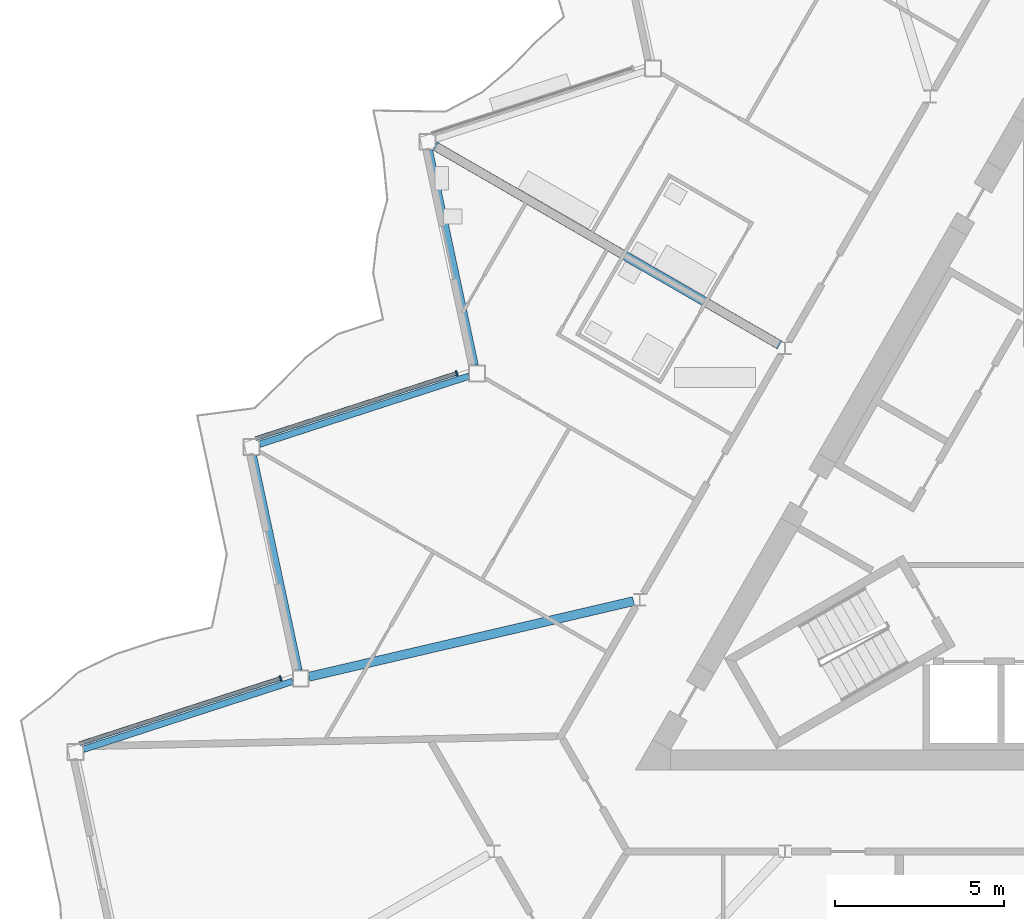
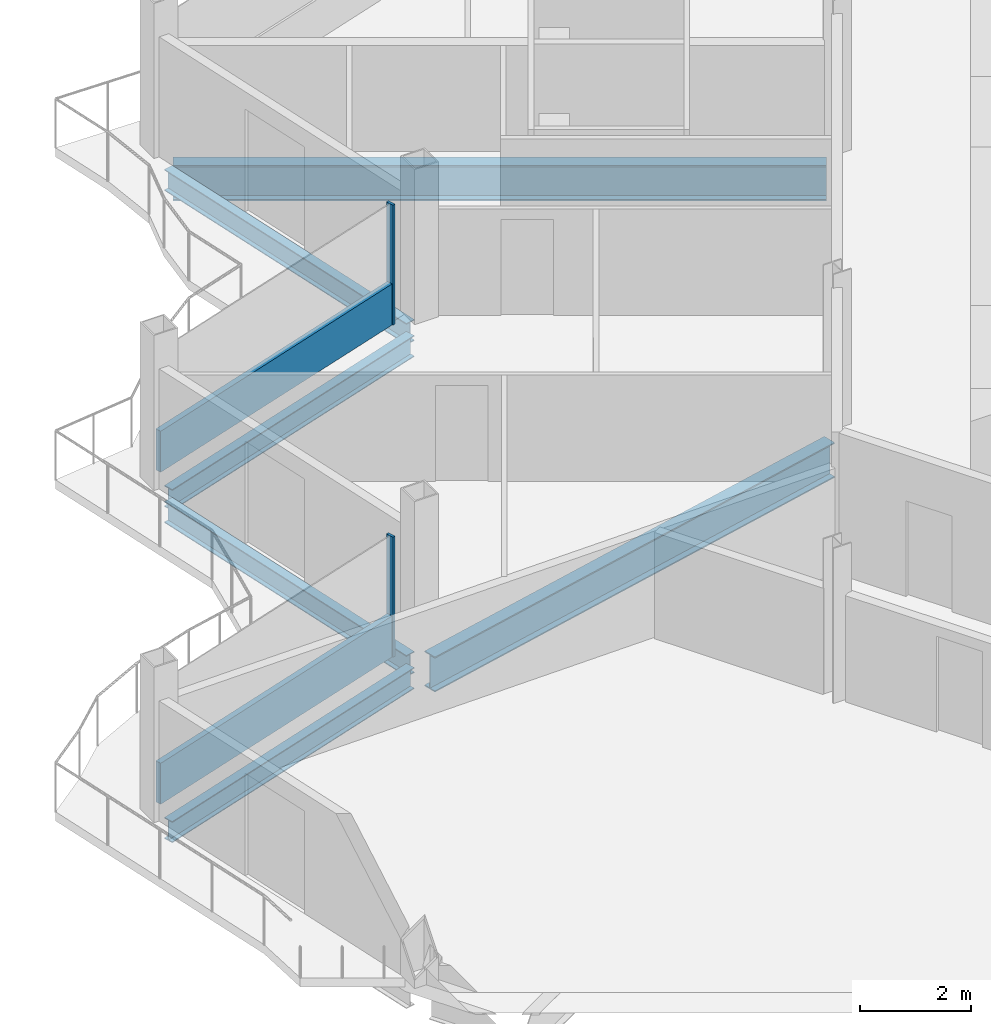
# One storey, part 6 of 25: 6 beams, 4 members, 2 elements without a shape of their own.
"""IFC4 building model written with IfcOpenShell, lengths in metres."""

from ifc_helpers import new_model, si_unit, direction, frame, origin, origin_2d, place, context, subcontext, project, spatial, rectangle, i_section, extrude, material, layer, layer_set, material_profile, profile_set, type_object, element, aggregate, save


model = new_model("IFC4")

# Units and contexts
model_context = context("Model", 3, precision=1e-05, world=origin(), true_north=direction((0.0, 1.0)))
body_context = subcontext(model_context, "Body", "Model", "MODEL_VIEW")
ifc_project = project(units=[si_unit("LENGTHUNIT", "METRE"), si_unit("AREAUNIT", "SQUARE_METRE"), si_unit("VOLUMEUNIT", "CUBIC_METRE"), si_unit("PLANEANGLEUNIT", "RADIAN"), si_unit("MASSUNIT", "GRAM", prefix="KILO")], contexts=[model_context])

# Site, building, storey
site_placement = place(None, origin())
site = spatial("IfcSite", under=ifc_project, at=site_placement, CompositionType="ELEMENT")
building_placement = place(site_placement, origin())
building = spatial("IfcBuilding", under=site, at=building_placement, Name="Cormorant Prow Tower", CompositionType="ELEMENT")
storey_placement = place(building_placement, frame((0.0, 0.0, 391.60009765625)))
storey = spatial("IfcBuildingStorey", under=building, at=storey_placement, Name="L89", CompositionType="ELEMENT", Elevation=391.60009765625)

# Beams
ifc_material_1 = material(Name="Structural steel ASTM A992 Gr 50", Category="steel")
ifc_material_profile_1 = material_profile(ifc_material_1, i_section(OverallWidth=0.267822265625, OverallDepth=0.77001953125, WebThickness=0.015625, FlangeThickness=0.025390625, at=origin_2d()), Name="W30x132")
ifc_profile_set_1 = profile_set([ifc_material_profile_1], Name="Structural steel ASTM A992 Gr 50")
beam_type_1 = type_object("IfcBeamType", Name="Radial floor beam W30x132", PredefinedType="BEAM", material=ifc_profile_set_1)
beam_1_placement = place(storey_placement, frame((-8.740478515625, 5.04638671875, -0.68505859375), z_axis=(-0.866026702285, 0.499997750924, 0.0), x_axis=(-0.499997750924, -0.866026702285, 0.0)))
element("IfcBeam", 1, at=beam_1_placement, inside=storey, type_object=beam_type_1, Name="Radial floor beam FB3 3 L89", PredefinedType="BEAM", context=body_context, shape_type="SweptSolid", body=[
    extrude(i_section(OverallWidth=0.267822265625, OverallDepth=0.77001953125, WebThickness=0.015625, FlangeThickness=0.025390625, at=origin_2d()), origin(), (0.0, 0.0, 1.0), 11.7451171875),
])
beam_2_placement = place(storey_placement, frame((-13.0498046875, -2.518798828125, -0.68505859375), z_axis=(-0.973926084128, -0.226865560752, 0.0), x_axis=(0.226865560752, -0.973926084128, 0.0)))
element("IfcBeam", 2, at=beam_2_placement, inside=storey, type_object=beam_type_1, Name="Radial floor beam FB3 4 L89", PredefinedType="BEAM", context=body_context, shape_type="SweptSolid", body=[
    extrude(i_section(OverallWidth=0.267822265625, OverallDepth=0.77001953125, WebThickness=0.015625, FlangeThickness=0.025390625, at=origin_2d()), origin(), (0.0, 0.0, 1.0), 9.837158203125),
])

# Curtain wall, member
ifc_material_2 = material(Name="Aluminium 6063-T6", Category="aluminium")
ifc_layer = layer(ifc_material_2, 0.159912109375)
ifc_layer_set = layer_set([ifc_layer], Name="Aluminium 6063-T6")
curtain_wall_type = type_object("IfcCurtainWallType", Name="Residential unitised curtain wall 160", PredefinedType="NOTDEFINED", material=ifc_layer_set)
curtain_wall_1_placement = place(storey_placement, origin())
curtain_wall_1 = element("IfcCurtainWall", 3, at=curtain_wall_1_placement, inside=storey, type_object=curtain_wall_type, Name="Residential curtain wall WNW06", PredefinedType="NOTDEFINED")
ifc_material_3 = material(Name="Aluminium 6063-T6", Category="aluminium")
ifc_material_profile_2 = material_profile(ifc_material_3, rectangle(XDim=0.159912109375, YDim=0.050048828125, at=origin_2d()), Name="Residential mullion 50x160")
ifc_profile_set_2 = profile_set([ifc_material_profile_2], Name="Aluminium 6063-T6")
member_type_1 = type_object("IfcMemberType", Name="Residential mullion 50x160", PredefinedType="MULLION", material=ifc_profile_set_2)
member_1_placement = place(storey_placement, frame((-18.27001953125, 4.208251953125, 0.0), z_axis=(0.0, 0.0, 1.0), x_axis=(0.309017066365, -0.951056492904, 0.0)))
member_1 = element("IfcMember", 4, at=member_1_placement, type_object=member_type_1, Name="Residential mullion WNW06", PredefinedType="MULLION", context=body_context, shape_type="SweptSolid", body=[
    extrude(rectangle(XDim=0.159912109375, YDim=0.050048828125, at=origin_2d()), origin(), (0.0, 0.0, 1.0), 2.6337890625),
])

curtain_wall_2_placement = place(storey_placement, origin())
curtain_wall_2 = element("IfcCurtainWall", 5, at=curtain_wall_2_placement, inside=storey, type_object=curtain_wall_type, Name="Residential curtain wall WNW08", PredefinedType="NOTDEFINED")
member_2_placement = place(storey_placement, frame((-23.469970703125, -4.79833984375, 0.0), z_axis=(0.0, 0.0, 1.0), x_axis=(0.309017066365, -0.951056492904, 0.0)))
member_2 = element("IfcMember", 6, at=member_2_placement, type_object=member_type_1, Name="Residential mullion WNW08", PredefinedType="MULLION", context=body_context, shape_type="SweptSolid", body=[
    extrude(rectangle(XDim=0.159912109375, YDim=0.050048828125, at=origin_2d()), origin(), (0.0, 0.0, 1.0), 2.6337890625),
])

# Member
ifc_material_4 = material(Name="Terracotta", Category="masonry")
ifc_material_profile_3 = material_profile(ifc_material_4, rectangle(XDim=0.1201171875, YDim=0.89990234375, at=origin_2d()), Name="Residential terracotta spandrel rail 120x900")
ifc_profile_set_3 = profile_set([ifc_material_profile_3], Name="Terracotta")
member_type_2 = type_object("IfcMemberType", Name="Residential terracotta spandrel rail 120x900", PredefinedType="USERDEFINED", material=ifc_profile_set_3)
member_3_placement = place(storey_placement, frame((-18.293701171875, 4.200439453125, 0.449951171875), z_axis=(-0.951056004715, -0.309018568854, 0.0), x_axis=(0.309018568854, -0.951056004715, 0.0)))
member_3 = element("IfcMember", 7, at=member_3_placement, type_object=member_type_2, Name="Residential spandrel rail WNW06", ObjectType="TRANSOM", PredefinedType="USERDEFINED", context=body_context, shape_type="SweptSolid", body=[
    extrude(rectangle(XDim=0.1201171875, YDim=0.89990234375, at=origin_2d()), origin(), (0.0, 0.0, 1.0), 6.21533203125),
])

aggregate(curtain_wall_1, [member_1, member_3])

member_4_placement = place(storey_placement, frame((-23.493896484375, -4.80615234375, 0.449951171875), z_axis=(-0.951052253526, -0.309030113522, 0.0), x_axis=(0.309030113522, -0.951052253526, 0.0)))
member_4 = element("IfcMember", 8, at=member_4_placement, type_object=member_type_2, Name="Residential spandrel rail WNW08", ObjectType="TRANSOM", PredefinedType="USERDEFINED", context=body_context, shape_type="SweptSolid", body=[
    extrude(rectangle(XDim=0.1201171875, YDim=0.89990234375, at=origin_2d()), origin(), (0.0, 0.0, 1.0), 6.215087890625),
])

aggregate(curtain_wall_2, [member_2, member_4])

# Beams
ifc_material_5 = material(Name="Structural steel ASTM A992 Gr 50", Category="steel")
ifc_material_profile_4 = material_profile(ifc_material_5, i_section(OverallWidth=0.19287109375, OverallDepth=0.466064453125, WebThickness=0.011474609375, FlangeThickness=0.01904296875, at=origin_2d()), Name="W18x65")
ifc_profile_set_4 = profile_set([ifc_material_profile_4], Name="Structural steel ASTM A992 Gr 50")
beam_type_2 = type_object("IfcBeamType", Name="Spandrel beam W18x65", PredefinedType="SPANDREL", material=ifc_profile_set_4)
for number, where, z_axis, x_axis, name in (
    (9, (-19.07666015625, 10.79931640625, -0.533203125), (0.207909538847, -0.978148058147, 0.0), (0.978148058147, 0.207909538847, 0.0), "Spandrel beam SB4 WNW05-WNW06 L89"),
    (10, (-17.91162109375, 4.122314453125, -0.533203125), (-0.951053396625, -0.309026595569, 0.0), (0.309026595569, -0.951053396625, 0.0), "Spandrel beam SB4 WNW06-WNW07 L89"),
    (11, (-24.276611328125, 1.792724609375, -0.533203125), (0.207909538847, -0.978148058147, 0.0), (0.978148058147, 0.207909538847, 0.0), "Spandrel beam SB4 WNW07-WNW08 L89"),
    (12, (-23.111572265625, -4.88427734375, -0.533203125), (-0.951053396625, -0.309026595569, 0.0), (0.309026595569, -0.951053396625, 0.0), "Spandrel beam SB4 WNW08-WNW09 L89"),
):
    element("IfcBeam", number, at=place(storey_placement, frame(where, z_axis=z_axis, x_axis=x_axis)), inside=storey, type_object=beam_type_2, Name=name, PredefinedType="SPANDREL", context=body_context, shape_type="SweptSolid", body=[
        extrude(i_section(OverallWidth=0.19287109375, OverallDepth=0.466064453125, WebThickness=0.011474609375, FlangeThickness=0.01904296875, at=origin_2d()), origin(), (0.0, 0.0, 1.0), 6.497314453125),
    ])

save(model, "model.ifc")
